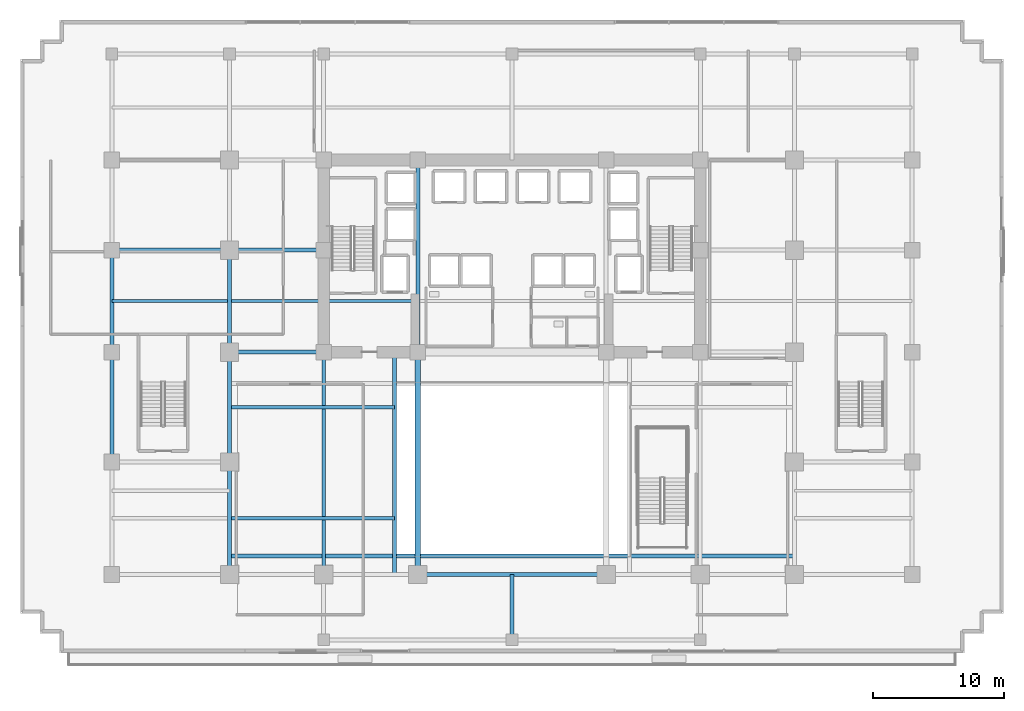
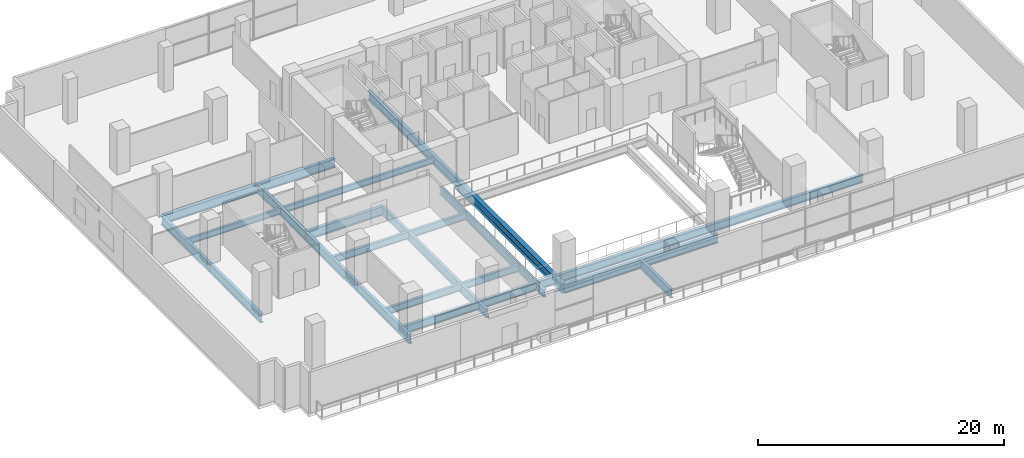
# One storey, part 3 of 22: 19 beams.
"""IFC4 building model written with IfcOpenShell, lengths in metres."""

from ifc_helpers import new_model, si_unit, direction, frame, origin, origin_2d, place, context, subcontext, project, spatial, i_section, extrude, material, material_profile, profile_set, type_object, element, save


model = new_model("IFC4")

# Units and contexts
model_context = context("Model", 3, precision=1e-05, world=origin(), true_north=direction((0.0, 1.0)))
body_context = subcontext(model_context, "Body", "Model", "MODEL_VIEW")
ifc_project = project(units=[si_unit("LENGTHUNIT", "METRE"), si_unit("AREAUNIT", "SQUARE_METRE"), si_unit("VOLUMEUNIT", "CUBIC_METRE"), si_unit("PLANEANGLEUNIT", "RADIAN"), si_unit("MASSUNIT", "GRAM", prefix="KILO")], contexts=[model_context])

# Site, building, storey
site_placement = place(None, origin())
site = spatial("IfcSite", under=ifc_project, at=site_placement, CompositionType="ELEMENT")
building_placement = place(site_placement, origin())
building = spatial("IfcBuilding", under=site, at=building_placement, Name="Zarnakvel Exchange Tower", CompositionType="ELEMENT")
storey_placement = place(building_placement, frame((0.0, 0.0, 9.39990234375)))
storey = spatial("IfcBuildingStorey", under=building, at=storey_placement, Name="L02", CompositionType="ELEMENT", Elevation=9.39990234375)

# Beams
ifc_material = material(Name="Steel S355", Category="steel")
ifc_material_profile_1 = material_profile(ifc_material, i_section(OverallWidth=0.255859375, OverallDepth=0.69287109375, WebThickness=0.014404296875, FlangeThickness=0.023681640625, FilletRadius=0.01513671875, at=origin_2d()))
ifc_profile_set_1 = profile_set([ifc_material_profile_1], Name="Steel S355")
beam_type_1 = type_object("IfcBeamType", Name="B-01", PredefinedType="JOIST", material=ifc_profile_set_1)
beam_1_placement = place(storey_placement, frame((-21.449951171875, -13.89990234375, -0.646240234375), z_axis=(1.0, 0.0, 0.0), x_axis=(0.0, 1.0, 0.0)))
element("IfcBeam", 1, at=beam_1_placement, inside=storey, type_object=beam_type_1, Name="L02 Exchange Hall Atrium Trimmer West", PredefinedType="JOIST", context=body_context, shape_type="SweptSolid", body=[
    extrude(i_section(OverallWidth=0.255859375, OverallDepth=0.69287109375, WebThickness=0.014404296875, FlangeThickness=0.023681640625, FilletRadius=0.01513671875, at=origin_2d()), origin(), (0.0, 0.0, 1.0), 12.449951171875),
])
beam_2_placement = place(storey_placement, frame((-21.60009765625, -5.39990234375, -0.646240234375), z_axis=(1.0, 0.0, 0.0), x_axis=(0.0, 1.0, 0.0)))
element("IfcBeam", 2, at=beam_2_placement, inside=storey, type_object=beam_type_1, Name="L02 Exchange Hall Atrium Trimmer West", PredefinedType="JOIST", context=body_context, shape_type="SweptSolid", body=[
    extrude(i_section(OverallWidth=0.255859375, OverallDepth=0.69287109375, WebThickness=0.014404296875, FlangeThickness=0.023681640625, FilletRadius=0.01513671875, at=origin_2d()), origin(), (0.0, 0.0, 1.0), 12.60009765625),
])
ifc_material_profile_2 = material_profile(ifc_material, i_section(OverallWidth=0.230224609375, OverallDepth=0.6171875, WebThickness=0.01318359375, FlangeThickness=0.022216796875, FilletRadius=0.0126953125, at=origin_2d()))
ifc_profile_set_2 = profile_set([ifc_material_profile_2], Name="Steel S355")
beam_type_2 = type_object("IfcBeamType", Name="B-02", PredefinedType="JOIST", material=ifc_profile_set_2)
beam_3_placement = place(storey_placement, frame((-30.60009765625, 2.699951171875, -0.6083984375), z_axis=(1.0, 0.0, 0.0), x_axis=(0.0, 1.0, 0.0)))
element("IfcBeam", 3, at=beam_3_placement, inside=storey, type_object=beam_type_2, Name="L02 Secondary Floor Joist", PredefinedType="JOIST", context=body_context, shape_type="SweptSolid", body=[
    extrude(i_section(OverallWidth=0.230224609375, OverallDepth=0.6171875, WebThickness=0.01318359375, FlangeThickness=0.022216796875, FilletRadius=0.0126953125, at=origin_2d()), origin(), (0.0, 0.0, 1.0), 8.85009765625),
])
beam_4_placement = place(storey_placement, frame((-21.449951171875, 2.699951171875, -0.6083984375), z_axis=(1.0, 0.0, 0.0), x_axis=(0.0, 1.0, 0.0)))
element("IfcBeam", 4, at=beam_4_placement, inside=storey, type_object=beam_type_2, Name="L02 Secondary Floor Joist", PredefinedType="JOIST", context=body_context, shape_type="SweptSolid", body=[
    extrude(i_section(OverallWidth=0.230224609375, OverallDepth=0.6171875, WebThickness=0.01318359375, FlangeThickness=0.022216796875, FilletRadius=0.0126953125, at=origin_2d()), origin(), (0.0, 0.0, 1.0), 14.099853515625),
])
ifc_material_profile_3 = material_profile(ifc_material, i_section(OverallWidth=0.300048828125, OverallDepth=0.89990234375, WebThickness=0.0185546875, FlangeThickness=0.034912109375, FilletRadius=0.030029296875, at=origin_2d()))
ifc_profile_set_3 = profile_set([ifc_material_profile_3], Name="Steel S355")
beam_type_3 = type_object("IfcBeamType", Name="G-01", PredefinedType="BEAM", material=ifc_profile_set_3)
beam_5_placement = place(storey_placement, frame((-7.199951171875, -18.199951171875, -0.75), z_axis=(1.0, 0.0, 0.0), x_axis=(0.0, 1.0, 0.0)))
element("IfcBeam", 5, at=beam_5_placement, inside=storey, type_object=beam_type_3, Name="L02 Primary E-W Girder Y=-18.2", PredefinedType="BEAM", context=body_context, shape_type="SweptSolid", body=[
    extrude(i_section(OverallWidth=0.300048828125, OverallDepth=0.89990234375, WebThickness=0.0185546875, FlangeThickness=0.034912109375, FilletRadius=0.030029296875, at=origin_2d()), origin(), (0.0, 0.0, 1.0), 14.39990234375),
])
beam_6_placement = place(storey_placement, frame((-21.60009765625, -1.199951171875, -0.75), z_axis=(1.0, 0.0, 0.0), x_axis=(0.0, 1.0, 0.0)))
element("IfcBeam", 6, at=beam_6_placement, inside=storey, type_object=beam_type_3, Name="L02 Primary E-W Girder Y=-1.2", PredefinedType="BEAM", context=body_context, shape_type="SweptSolid", body=[
    extrude(i_section(OverallWidth=0.300048828125, OverallDepth=0.89990234375, WebThickness=0.0185546875, FlangeThickness=0.034912109375, FilletRadius=0.030029296875, at=origin_2d()), origin(), (0.0, 0.0, 1.0), 7.2001953125),
])
beam_7_placement = place(storey_placement, frame((-30.60009765625, 6.60009765625, -0.75), z_axis=(1.0, 0.0, 0.0), x_axis=(0.0, 1.0, 0.0)))
element("IfcBeam", 7, at=beam_7_placement, inside=storey, type_object=beam_type_3, Name="L02 Primary E-W Girder Y=+6.6", PredefinedType="BEAM", context=body_context, shape_type="SweptSolid", body=[
    extrude(i_section(OverallWidth=0.300048828125, OverallDepth=0.89990234375, WebThickness=0.0185546875, FlangeThickness=0.034912109375, FilletRadius=0.030029296875, at=origin_2d()), origin(), (0.0, 0.0, 1.0), 9.0),
])
beam_8_placement = place(storey_placement, frame((-21.60009765625, 6.60009765625, -0.75), z_axis=(1.0, 0.0, 0.0), x_axis=(0.0, 1.0, 0.0)))
element("IfcBeam", 8, at=beam_8_placement, inside=storey, type_object=beam_type_3, Name="L02 Primary E-W Girder Y=+6.6", PredefinedType="BEAM", context=body_context, shape_type="SweptSolid", body=[
    extrude(i_section(OverallWidth=0.300048828125, OverallDepth=0.89990234375, WebThickness=0.0185546875, FlangeThickness=0.034912109375, FilletRadius=0.030029296875, at=origin_2d()), origin(), (0.0, 0.0, 1.0), 7.2001953125),
])
beam_9_placement = place(storey_placement, frame((-30.60009765625, -9.60009765625, -0.75), z_axis=(0.0, 1.0, 0.0), x_axis=(-1.0, 0.0, 0.0)))
element("IfcBeam", 9, at=beam_9_placement, inside=storey, type_object=beam_type_3, Name="L02 Primary N-S Girder X=-30.6", PredefinedType="BEAM", context=body_context, shape_type="SweptSolid", body=[
    extrude(i_section(OverallWidth=0.300048828125, OverallDepth=0.89990234375, WebThickness=0.0185546875, FlangeThickness=0.034912109375, FilletRadius=0.030029296875, at=origin_2d()), origin(), (0.0, 0.0, 1.0), 8.400146484375),
])
beam_10_placement = place(storey_placement, frame((-30.60009765625, -1.199951171875, -0.75), z_axis=(0.0, 1.0, 0.0), x_axis=(-1.0, 0.0, 0.0)))
element("IfcBeam", 10, at=beam_10_placement, inside=storey, type_object=beam_type_3, Name="L02 Primary N-S Girder X=-30.6", PredefinedType="BEAM", context=body_context, shape_type="SweptSolid", body=[
    extrude(i_section(OverallWidth=0.300048828125, OverallDepth=0.89990234375, WebThickness=0.0185546875, FlangeThickness=0.034912109375, FilletRadius=0.030029296875, at=origin_2d()), origin(), (0.0, 0.0, 1.0), 7.800048828125),
])
beam_11_placement = place(storey_placement, frame((-21.60009765625, -18.199951171875, -0.75), z_axis=(0.0, 1.0, 0.0), x_axis=(-1.0, 0.0, 0.0)))
element("IfcBeam", 11, at=beam_11_placement, inside=storey, type_object=beam_type_3, Name="L02 Primary N-S Girder X=-21.6", PredefinedType="BEAM", context=body_context, shape_type="SweptSolid", body=[
    extrude(i_section(OverallWidth=0.300048828125, OverallDepth=0.89990234375, WebThickness=0.0185546875, FlangeThickness=0.034912109375, FilletRadius=0.030029296875, at=origin_2d()), origin(), (0.0, 0.0, 1.0), 8.599853515625),
])
beam_12_placement = place(storey_placement, frame((-21.60009765625, -9.60009765625, -0.75), z_axis=(0.0, 1.0, 0.0), x_axis=(-1.0, 0.0, 0.0)))
element("IfcBeam", 12, at=beam_12_placement, inside=storey, type_object=beam_type_3, Name="L02 Primary N-S Girder X=-21.6", PredefinedType="BEAM", context=body_context, shape_type="SweptSolid", body=[
    extrude(i_section(OverallWidth=0.300048828125, OverallDepth=0.89990234375, WebThickness=0.0185546875, FlangeThickness=0.034912109375, FilletRadius=0.030029296875, at=origin_2d()), origin(), (0.0, 0.0, 1.0), 8.400146484375),
])
beam_13_placement = place(storey_placement, frame((-21.60009765625, -1.199951171875, -0.75), z_axis=(0.0, 1.0, 0.0), x_axis=(-1.0, 0.0, 0.0)))
element("IfcBeam", 13, at=beam_13_placement, inside=storey, type_object=beam_type_3, Name="L02 Primary N-S Girder X=-21.6", PredefinedType="BEAM", context=body_context, shape_type="SweptSolid", body=[
    extrude(i_section(OverallWidth=0.300048828125, OverallDepth=0.89990234375, WebThickness=0.0185546875, FlangeThickness=0.034912109375, FilletRadius=0.030029296875, at=origin_2d()), origin(), (0.0, 0.0, 1.0), 7.800048828125),
])
beam_14_placement = place(storey_placement, frame((-7.199951171875, -1.199951171875, -0.75), z_axis=(0.0, 1.0, 0.0), x_axis=(-1.0, 0.0, 0.0)))
element("IfcBeam", 14, at=beam_14_placement, inside=storey, type_object=beam_type_3, Name="L02 Primary N-S Girder X=-7.2", PredefinedType="BEAM", context=body_context, shape_type="SweptSolid", body=[
    extrude(i_section(OverallWidth=0.300048828125, OverallDepth=0.89990234375, WebThickness=0.0185546875, FlangeThickness=0.034912109375, FilletRadius=0.030029296875, at=origin_2d()), origin(), (0.0, 0.0, 1.0), 14.699951171875),
])
beam_15_placement = place(storey_placement, frame((0.0, -23.199951171875, -0.75), z_axis=(0.0, 1.0, 0.0), x_axis=(-1.0, 0.0, 0.0)))
element("IfcBeam", 15, at=beam_15_placement, inside=storey, type_object=beam_type_3, Name="L02 Primary N-S Girder X=+0.0 South", PredefinedType="BEAM", context=body_context, shape_type="SweptSolid", body=[
    extrude(i_section(OverallWidth=0.300048828125, OverallDepth=0.89990234375, WebThickness=0.0185546875, FlangeThickness=0.034912109375, FilletRadius=0.030029296875, at=origin_2d()), origin(), (0.0, 0.0, 1.0), 5.0),
])
ifc_material_profile_4 = material_profile(ifc_material, i_section(OverallWidth=0.300048828125, OverallDepth=0.800048828125, WebThickness=0.017578125, FlangeThickness=0.032958984375, FilletRadius=0.030029296875, at=origin_2d()))
ifc_profile_set_4 = profile_set([ifc_material_profile_4], Name="Steel S355")
beam_type_4 = type_object("IfcBeamType", Name="G-02", PredefinedType="BEAM", material=ifc_profile_set_4)
beam_16_placement = place(storey_placement, frame((-21.60009765625, -16.800048828125, -0.699951171875), z_axis=(1.0, 0.0, 0.0), x_axis=(0.0, 1.0, 0.0)))
element("IfcBeam", 16, at=beam_16_placement, inside=storey, type_object=beam_type_4, Name="L02 Atrium South Edge Trimmer Girder", PredefinedType="BEAM", context=body_context, shape_type="SweptSolid", body=[
    extrude(i_section(OverallWidth=0.300048828125, OverallDepth=0.800048828125, WebThickness=0.017578125, FlangeThickness=0.032958984375, FilletRadius=0.030029296875, at=origin_2d()), origin(), (0.0, 0.0, 1.0), 43.2001953125),
])
ifc_material_profile_5 = material_profile(ifc_material, i_section(OverallWidth=0.300048828125, OverallDepth=0.699951171875, WebThickness=0.01708984375, FlangeThickness=0.031982421875, FilletRadius=0.027099609375, at=origin_2d()))
ifc_profile_set_5 = profile_set([ifc_material_profile_5], Name="Steel S355")
beam_type_5 = type_object("IfcBeamType", Name="G-03", PredefinedType="BEAM", material=ifc_profile_set_5)
beam_17_placement = place(storey_placement, frame((-9.0, -18.199951171875, -0.64990234375), z_axis=(0.0, 1.0, 0.0), x_axis=(-1.0, 0.0, 0.0)))
element("IfcBeam", 17, at=beam_17_placement, inside=storey, type_object=beam_type_5, Name="L02 Atrium West Edge Girder", PredefinedType="BEAM", context=body_context, shape_type="SweptSolid", body=[
    extrude(i_section(OverallWidth=0.300048828125, OverallDepth=0.699951171875, WebThickness=0.01708984375, FlangeThickness=0.031982421875, FilletRadius=0.027099609375, at=origin_2d()), origin(), (0.0, 0.0, 1.0), 17.0),
])
ifc_material_profile_6 = material_profile(ifc_material, i_section(OverallWidth=0.42041015625, OverallDepth=0.9208984375, WebThickness=0.021484375, FlangeThickness=0.03662109375, FilletRadius=0.024169921875, at=origin_2d()))
ifc_profile_set_6 = profile_set([ifc_material_profile_6], Name="Steel S355")
beam_type_6 = type_object("IfcBeamType", Name="TB-01", PredefinedType="T_BEAM", material=ifc_profile_set_6)
beam_18_placement = place(storey_placement, frame((-7.199951171875, -18.199951171875, -0.760498046875), z_axis=(0.0, 1.0, 0.0), x_axis=(-1.0, 0.0, 0.0)))
element("IfcBeam", 18, at=beam_18_placement, inside=storey, type_object=beam_type_6, Name="L02 Primary N-S Girder X=-7.2", PredefinedType="T_BEAM", context=body_context, shape_type="SweptSolid", body=[
    extrude(i_section(OverallWidth=0.42041015625, OverallDepth=0.9208984375, WebThickness=0.021484375, FlangeThickness=0.03662109375, FilletRadius=0.024169921875, at=origin_2d()), origin(), (0.0, 0.0, 1.0), 17.0),
])
ifc_material_profile_7 = material_profile(ifc_material, i_section(OverallWidth=0.293701171875, OverallDepth=0.850830078125, WebThickness=0.01611328125, FlangeThickness=0.02685546875, FilletRadius=0.017822265625, at=origin_2d()))
ifc_profile_set_7 = profile_set([ifc_material_profile_7], Name="Steel S355")
beam_type_7 = type_object("IfcBeamType", Name="TB-02", PredefinedType="T_BEAM", material=ifc_profile_set_7)
beam_19_placement = place(storey_placement, frame((-14.39990234375, -18.199951171875, -0.725341796875), z_axis=(0.0, 1.0, 0.0), x_axis=(-1.0, 0.0, 0.0)))
element("IfcBeam", 19, at=beam_19_placement, inside=storey, type_object=beam_type_7, Name="L02 Primary N-S Girder X=-14.4", PredefinedType="T_BEAM", context=body_context, shape_type="SweptSolid", body=[
    extrude(i_section(OverallWidth=0.293701171875, OverallDepth=0.850830078125, WebThickness=0.01611328125, FlangeThickness=0.02685546875, FilletRadius=0.017822265625, at=origin_2d()), origin(), (0.0, 0.0, 1.0), 17.0),
])

save(model, "model.ifc")
